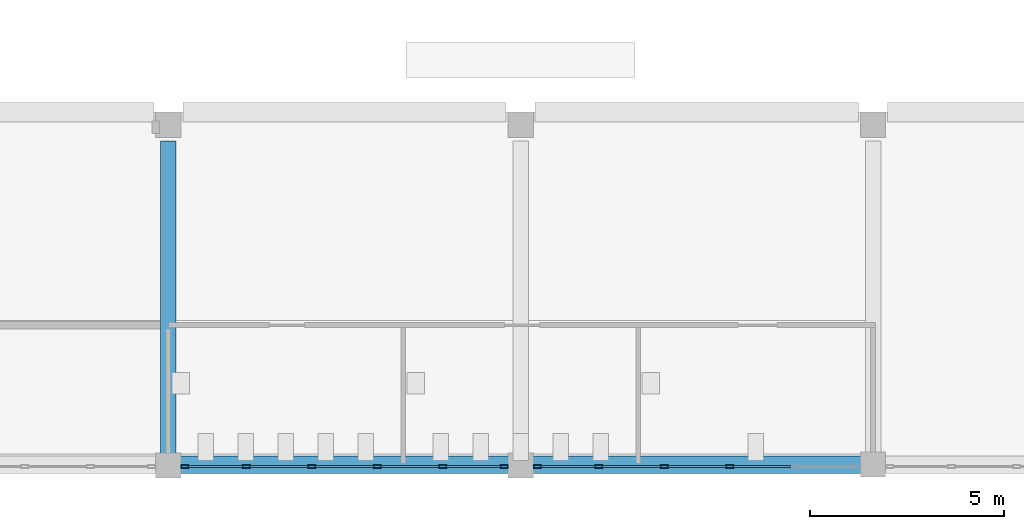
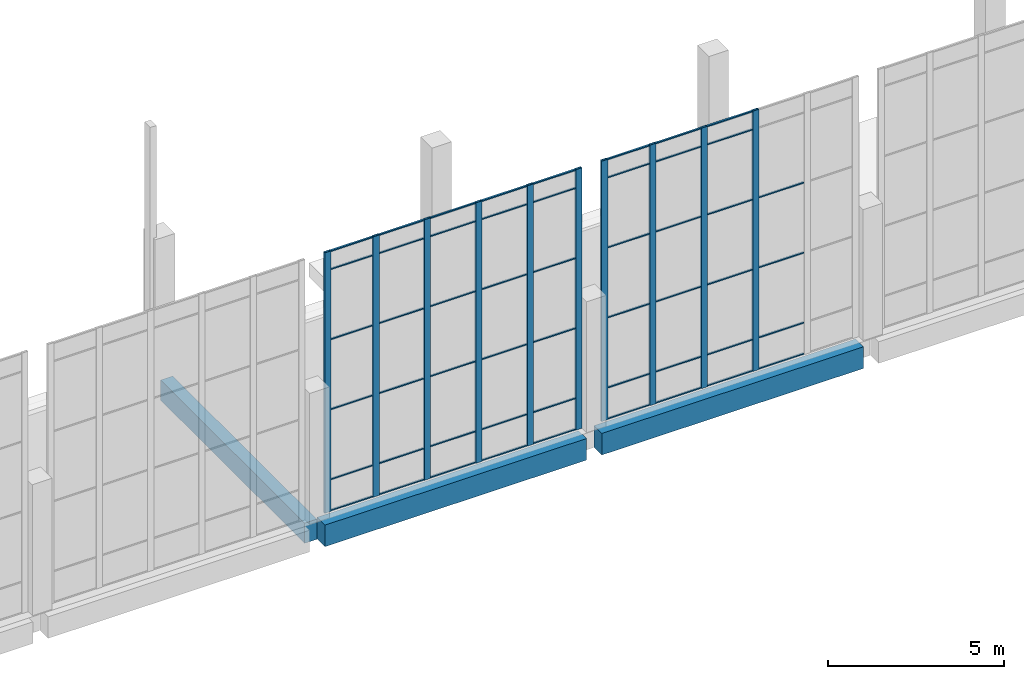
# One storey, part 11 of 91: 62 members, 3 beams, 2 elements without a shape of their own.
"""IFC4 building model written with IfcOpenShell, lengths in metres."""

import ifcopenshell
import ifcopenshell.guid

model = None  # the IFC model being written
_history = None  # IfcOwnerHistory: only IFC2X3 demands one
_inside = {}  # id of a spatial element -> (the spatial element, [elements in it])
_under = {}  # id of a project, library or spatial element -> (it, [spatial elements below it])
_declared = {}  # id of a project -> (the project, [libraries it declares])
_typed = {}  # id of a type object -> (the type object, [elements of that type])
_made_of = {}  # id of a material, layer set ... -> (it, [elements and type objects made of it])


def new_model(schema):
    """Start an empty IFC model of exactly this schema.

    Asked for "IFC4X3", IfcOpenShell would pick the latest addendum, in which some entities
    have other attributes; the version numbers below select the first issue.
    IFC2X3 requires an IfcOwnerHistory on every rooted entity: one is made here for all.
    """
    global model, _history
    if schema == "IFC4X3":
        model = ifcopenshell.file(schema_version=(4, 3, 0, 0))
    else:
        model = ifcopenshell.file(schema=schema)
    _inside.clear()
    _under.clear()
    _declared.clear()
    _typed.clear()
    _made_of.clear()
    _history = None
    if model.schema == "IFC2X3":
        org = make("IfcOrganization", Name="unknown")
        user = make(
            "IfcPersonAndOrganization",
            ThePerson=make("IfcPerson", FamilyName="unknown"),
            TheOrganization=org,
        )
        app = make(
            "IfcApplication",
            ApplicationDeveloper=org,
            Version="unknown",
            ApplicationFullName="unknown",
            ApplicationIdentifier="unknown",
        )
        _history = make(
            "IfcOwnerHistory",
            OwningUser=user,
            OwningApplication=app,
            ChangeAction="ADDED",
            CreationDate=0,
        )
    return model


def make(cls, **values):
    """One entity of the class cls with the attributes given. An attribute that is None is left unset."""
    return model.create_entity(
        cls, **{name: value for name, value in values.items() if value is not None}
    )


def rooted(cls, **values):
    """An entity with a GlobalId (a new one), such as an element, a storey or a relation."""
    return make(cls, GlobalId=ifcopenshell.guid.new(), OwnerHistory=_history, **values)


def si_unit(unit_type, name, prefix=None):
    """IfcSIUnit, for example si_unit("LENGTHUNIT", "METRE", prefix="MILLI")."""
    return make("IfcSIUnit", UnitType=unit_type, Prefix=prefix, Name=name)


def assignment(units):
    """IfcUnitAssignment: the units of a project."""
    return None if units is None else make("IfcUnitAssignment", Units=units)


def point(xyz):
    """IfcCartesianPoint."""
    return None if xyz is None else make("IfcCartesianPoint", Coordinates=xyz)


def direction(xyz):
    """IfcDirection."""
    return None if xyz is None else make("IfcDirection", DirectionRatios=xyz)


def frame(location, z_axis=None, x_axis=None):
    """IfcAxis2Placement3D, a coordinate frame: its origin and axes. An axis left out is left unset."""
    return make(
        "IfcAxis2Placement3D",
        Location=point(location),
        Axis=direction(z_axis),
        RefDirection=direction(x_axis),
    )


def frame_2d(location, x_axis=None):
    """IfcAxis2Placement2D, a coordinate frame in the plane: its origin and x axis."""
    return make(
        "IfcAxis2Placement2D", Location=point(location), RefDirection=direction(x_axis)
    )


def origin():
    """The frame at (0, 0, 0) with its axes left unset."""
    return frame((0.0, 0.0, 0.0))


def origin_2d():
    """The frame at (0, 0) in the plane with its x axis left unset."""
    return frame_2d((0.0, 0.0))


def place(relative_to, where):
    """IfcLocalPlacement: puts the frame where relative to a parent placement (None: the world)."""
    return make(
        "IfcLocalPlacement", PlacementRelTo=relative_to, RelativePlacement=where
    )


def context(
    kind, dimensions, precision=None, world=None, true_north=None, identifier=None
):
    """IfcGeometricRepresentationContext, for example the 3D "Model" context."""
    return make(
        "IfcGeometricRepresentationContext",
        ContextIdentifier=identifier,
        ContextType=kind,
        CoordinateSpaceDimension=dimensions,
        Precision=precision,
        WorldCoordinateSystem=world,
        TrueNorth=true_north,
    )


def subcontext(parent, identifier, kind, view, scale=None):
    """IfcGeometricRepresentationSubContext, for example "Body" below "Model"."""
    return make(
        "IfcGeometricRepresentationSubContext",
        ContextIdentifier=identifier,
        ContextType=kind,
        ParentContext=parent,
        TargetScale=scale,
        TargetView=view,
    )


def project(units=None, contexts=None):
    """IfcProject with its units and contexts."""
    return rooted(
        "IfcProject",
        Name="project",
        RepresentationContexts=contexts,
        UnitsInContext=assignment(units),
    )


def spatial(cls, under=None, at=None, **own):
    """A site, building, storey or space (cls), placed at a placement, below another one or the project."""
    s = rooted(cls, ObjectPlacement=at, **own)
    if under is not None:
        _under.setdefault(under.id(), (under, []))[1].append(s)
    return s


def profile(cls, at=None, kind="AREA", **sizes):
    """A parametric profile (cls). Its sizes go by their IFC names, for example OverallWidth=200.0."""
    return make(cls, ProfileType=kind, Position=at, **sizes)


def rectangle(**sizes):
    """IfcRectangleProfileDef."""
    return profile("IfcRectangleProfileDef", **sizes)


def hollow_rectangle(**sizes):
    """IfcRectangleHollowProfileDef."""
    return profile("IfcRectangleHollowProfileDef", **sizes)


def extrude(swept, where, along, depth):
    """IfcExtrudedAreaSolid: the profile swept, set in the frame where, extruded along a direction by depth."""
    return make(
        "IfcExtrudedAreaSolid",
        SweptArea=swept,
        Position=where,
        ExtrudedDirection=direction(along),
        Depth=depth,
    )


def shape(context_of_items, identifier, shape_type, items):
    """IfcShapeRepresentation: the items that make up one representation, for example the "Body"."""
    return make(
        "IfcShapeRepresentation",
        ContextOfItems=context_of_items,
        RepresentationIdentifier=identifier,
        RepresentationType=shape_type,
        Items=items,
    )


def material(Name=None, Category=None):
    """IfcMaterial."""
    return make("IfcMaterial", Name=Name, Category=Category)


def layer(
    of_material, thickness, ventilated=None, Name=None, Category=None, Priority=None
):
    """IfcMaterialLayer: one layer of a wall or slab, of a material (None: an air gap)."""
    return make(
        "IfcMaterialLayer",
        Material=of_material,
        LayerThickness=thickness,
        IsVentilated=ventilated,
        Name=Name,
        Category=Category,
        Priority=Priority,
    )


def layer_set(layers, Name=None):
    """IfcMaterialLayerSet."""
    return make("IfcMaterialLayerSet", MaterialLayers=layers, LayerSetName=Name)


def material_profile(
    of_material, cross_section, Name=None, Category=None, Priority=None
):
    """IfcMaterialProfile: a cross section and its material."""
    return make(
        "IfcMaterialProfile",
        Name=Name,
        Material=of_material,
        Profile=cross_section,
        Priority=Priority,
        Category=Category,
    )


def profile_set(profiles, Name=None, composite=None):
    """IfcMaterialProfileSet."""
    return make(
        "IfcMaterialProfileSet",
        Name=Name,
        MaterialProfiles=profiles,
        CompositeProfile=composite,
    )


def made_of(thing, what):
    """Note that an element or type object is made of a material, layer set ...; save() writes the relation."""
    if what is not None:
        _made_of.setdefault(what.id(), (what, []))[1].append(thing)
    return thing


def type_object(cls, material=None, **own):
    """A type object (cls), such as IfcWallType, which elements share."""
    return made_of(rooted(cls, **own), material)


def element(
    cls,
    number,
    at=None,
    inside=None,
    cuts=None,
    type_object=None,
    material=None,
    context=None,
    identifier="Body",
    shape_type=None,
    held_by="IfcProductDefinitionShape",
    body=None,
    shapes=None,
    **own,
):
    """One element of the class cls, such as IfcWall. Its Tag is "e" and its number.

    at: its placement. inside: the storey or other place that contains it. cuts: it is an
    opening in that element (IfcRelVoidsElement). A single representation is given by context,
    identifier, shape_type and body (its items); several are given by shapes. held_by: the class
    of the entity that holds the representations. save() writes the other relations.
    """
    e = rooted(cls, Tag="e%d" % number, ObjectPlacement=at, **own)
    if body is not None:
        shapes = [shape(context, identifier, shape_type, body)]
    if shapes is not None:
        e.Representation = make(held_by, Representations=shapes)
    if inside is not None:
        _inside.setdefault(inside.id(), (inside, []))[1].append(e)
    if cuts is not None:
        rooted(
            "IfcRelVoidsElement", RelatingBuildingElement=cuts, RelatedOpeningElement=e
        )
    if type_object is not None:
        _typed.setdefault(type_object.id(), (type_object, []))[1].append(e)
    return made_of(e, material)


def aggregate(whole, parts):
    """IfcRelAggregates: a whole, such as a stair, and the parts it consists of."""
    return rooted("IfcRelAggregates", RelatingObject=whole, RelatedObjects=parts)


def save(model, path):
    """Write the relations noted so far, then the file.

    IfcRelAggregates (storeys below a building ...), IfcRelContainedInSpatialStructure (elements
    in a storey), IfcRelDefinesByType, IfcRelAssociatesMaterial and IfcRelDeclares: one each for
    every whole, place, type object, material and project.
    """
    for whole, parts in _under.values():
        aggregate(whole, parts)
    for where, things in _inside.values():
        rooted(
            "IfcRelContainedInSpatialStructure",
            RelatedElements=things,
            RelatingStructure=where,
        )
    for kind, things in _typed.values():
        rooted("IfcRelDefinesByType", RelatedObjects=things, RelatingType=kind)
    for what, things in _made_of.values():
        rooted("IfcRelAssociatesMaterial", RelatedObjects=things, RelatingMaterial=what)
    for by, libraries in _declared.values():
        rooted("IfcRelDeclares", RelatingContext=by, RelatedDefinitions=libraries)
    model.write(path)


model = new_model("IFC4")

# Units and contexts
model_context = context("Model", 3, precision=1e-05, world=origin(), true_north=direction((0.0, 1.0)))
body_context = subcontext(model_context, "Body", "Model", "MODEL_VIEW")
ifc_project = project(units=[si_unit("LENGTHUNIT", "METRE"), si_unit("AREAUNIT", "SQUARE_METRE"), si_unit("VOLUMEUNIT", "CUBIC_METRE"), si_unit("PLANEANGLEUNIT", "RADIAN"), si_unit("MASSUNIT", "GRAM", prefix="KILO")], contexts=[model_context])

# Site, building, storey
site_placement = place(None, origin())
site = spatial("IfcSite", under=ifc_project, at=site_placement, CompositionType="ELEMENT")
building_placement = place(site_placement, origin())
building = spatial("IfcBuilding", under=site, at=building_placement, Name="Shirokan Park Arena", CompositionType="ELEMENT")
storey_placement = place(building_placement, frame((0.0, 0.0, 24.570068359375)))
storey = spatial("IfcBuildingStorey", under=building, at=storey_placement, Name="L05", CompositionType="ELEMENT", Elevation=24.570068359375)

# Curtain wall, members
ifc_material_1 = material(Name="Steel and glass curtain wall", Category="steel")
ifc_layer = layer(ifc_material_1, 0.199951171875)
ifc_layer_set = layer_set([ifc_layer], Name="Steel and glass curtain wall 200 mm")
curtain_wall_type = type_object("IfcCurtainWallType", Name="Curtain wall hall bay 200", PredefinedType="NOTDEFINED", material=ifc_layer_set)
curtain_wall_1_placement = place(storey_placement, origin())
curtain_wall_1 = element("IfcCurtainWall", 1, at=curtain_wall_1_placement, inside=storey, type_object=curtain_wall_type, Name="Curtain wall south bay 8 L05", PredefinedType="NOTDEFINED")
ifc_material_2 = material(Name="Steel S355", Category="steel")
ifc_material_profile_1 = material_profile(ifc_material_2, hollow_rectangle(XDim=0.080078125, YDim=0.199951171875, WallThickness=0.008056640625, at=origin_2d()), Name="RHS 200x80x8")
ifc_profile_set_1 = profile_set([ifc_material_profile_1], Name="Steel S355")
member_type_1 = type_object("IfcMemberType", Name="Mullion RHS 200x80x8", PredefinedType="MULLION", material=ifc_profile_set_1)
member_1_placement = place(storey_placement, frame((64.125, -0.050048828125, 0.0), z_axis=(0.0, 0.0, 1.0), x_axis=(0.0, 1.0, 0.0)))
member_1 = element("IfcMember", 2, at=member_1_placement, type_object=member_type_1, Name="CW5 mullion 1", PredefinedType="MULLION", context=body_context, shape_type="SweptSolid", body=[
    extrude(hollow_rectangle(XDim=0.080078125, YDim=0.199951171875, WallThickness=0.008056640625, at=origin_2d()), origin(), (0.0, 0.0, 1.0), 9.050048828125),
])
member_2_placement = place(storey_placement, frame((65.715087890625, -0.050048828125, 0.0), z_axis=(0.0, 0.0, 1.0), x_axis=(0.0, 1.0, 0.0)))
member_2 = element("IfcMember", 3, at=member_2_placement, type_object=member_type_1, Name="CW5 mullion 2", PredefinedType="MULLION", context=body_context, shape_type="SweptSolid", body=[
    extrude(hollow_rectangle(XDim=0.080078125, YDim=0.199951171875, WallThickness=0.008056640625, at=origin_2d()), origin(), (0.0, 0.0, 1.0), 9.050048828125),
])
member_3_placement = place(storey_placement, frame((67.405029296875, -0.050048828125, 0.0), z_axis=(0.0, 0.0, 1.0), x_axis=(0.0, 1.0, 0.0)))
member_3 = element("IfcMember", 4, at=member_3_placement, type_object=member_type_1, Name="CW5 mullion 3", PredefinedType="MULLION", context=body_context, shape_type="SweptSolid", body=[
    extrude(hollow_rectangle(XDim=0.080078125, YDim=0.199951171875, WallThickness=0.008056640625, at=origin_2d()), origin(), (0.0, 0.0, 1.0), 9.050048828125),
])
member_4_placement = place(storey_placement, frame((69.094970703125, -0.050048828125, 0.0), z_axis=(0.0, 0.0, 1.0), x_axis=(0.0, 1.0, 0.0)))
member_4 = element("IfcMember", 5, at=member_4_placement, type_object=member_type_1, Name="CW5 mullion 4", PredefinedType="MULLION", context=body_context, shape_type="SweptSolid", body=[
    extrude(hollow_rectangle(XDim=0.080078125, YDim=0.199951171875, WallThickness=0.008056640625, at=origin_2d()), origin(), (0.0, 0.0, 1.0), 9.050048828125),
])
member_5_placement = place(storey_placement, frame((70.784912109375, -0.050048828125, 0.0), z_axis=(0.0, 0.0, 1.0), x_axis=(0.0, 1.0, 0.0)))
member_5 = element("IfcMember", 6, at=member_5_placement, type_object=member_type_1, Name="CW5 mullion 5", PredefinedType="MULLION", context=body_context, shape_type="SweptSolid", body=[
    extrude(hollow_rectangle(XDim=0.080078125, YDim=0.199951171875, WallThickness=0.008056640625, at=origin_2d()), origin(), (0.0, 0.0, 1.0), 9.050048828125),
])
member_6_placement = place(storey_placement, frame((72.375, -0.050048828125, 0.0), z_axis=(0.0, 0.0, 1.0), x_axis=(0.0, 1.0, 0.0)))
member_6 = element("IfcMember", 7, at=member_6_placement, type_object=member_type_1, Name="CW5 mullion 6", PredefinedType="MULLION", context=body_context, shape_type="SweptSolid", body=[
    extrude(hollow_rectangle(XDim=0.080078125, YDim=0.199951171875, WallThickness=0.008056640625, at=origin_2d()), origin(), (0.0, 0.0, 1.0), 9.050048828125),
])

curtain_wall_2_placement = place(storey_placement, origin())
curtain_wall_2 = element("IfcCurtainWall", 8, at=curtain_wall_2_placement, inside=storey, type_object=curtain_wall_type, Name="Curtain wall south bay 9 L05", PredefinedType="NOTDEFINED")
member_7_placement = place(storey_placement, frame((73.22509765625, -0.050048828125, 0.0), z_axis=(0.0, 0.0, 1.0), x_axis=(0.0, 1.0, 0.0)))
member_7 = element("IfcMember", 9, at=member_7_placement, type_object=member_type_1, Name="CW5 mullion 1", PredefinedType="MULLION", context=body_context, shape_type="SweptSolid", body=[
    extrude(hollow_rectangle(XDim=0.080078125, YDim=0.199951171875, WallThickness=0.008056640625, at=origin_2d()), origin(), (0.0, 0.0, 1.0), 9.050048828125),
])
member_8_placement = place(storey_placement, frame((74.81494140625, -0.050048828125, 0.0), z_axis=(0.0, 0.0, 1.0), x_axis=(0.0, 1.0, 0.0)))
member_8 = element("IfcMember", 10, at=member_8_placement, type_object=member_type_1, Name="CW5 mullion 2", PredefinedType="MULLION", context=body_context, shape_type="SweptSolid", body=[
    extrude(hollow_rectangle(XDim=0.080078125, YDim=0.199951171875, WallThickness=0.008056640625, at=origin_2d()), origin(), (0.0, 0.0, 1.0), 9.050048828125),
])
member_9_placement = place(storey_placement, frame((76.5048828125, -0.050048828125, 0.0), z_axis=(0.0, 0.0, 1.0), x_axis=(0.0, 1.0, 0.0)))
member_9 = element("IfcMember", 11, at=member_9_placement, type_object=member_type_1, Name="CW5 mullion 3", PredefinedType="MULLION", context=body_context, shape_type="SweptSolid", body=[
    extrude(hollow_rectangle(XDim=0.080078125, YDim=0.199951171875, WallThickness=0.008056640625, at=origin_2d()), origin(), (0.0, 0.0, 1.0), 9.050048828125),
])
member_10_placement = place(storey_placement, frame((78.195068359375, -0.050048828125, 0.0), z_axis=(0.0, 0.0, 1.0), x_axis=(0.0, 1.0, 0.0)))
member_10 = element("IfcMember", 12, at=member_10_placement, type_object=member_type_1, Name="CW5 mullion 4", PredefinedType="MULLION", context=body_context, shape_type="SweptSolid", body=[
    extrude(hollow_rectangle(XDim=0.080078125, YDim=0.199951171875, WallThickness=0.008056640625, at=origin_2d()), origin(), (0.0, 0.0, 1.0), 9.050048828125),
])

# Beams
ifc_material_3 = material(Name="Concrete C35", Category="concrete")
ifc_material_profile_2 = material_profile(ifc_material_3, rectangle(XDim=0.39990234375, YDim=0.699951171875, at=origin_2d()), Name="400x700")
ifc_profile_set_2 = profile_set([ifc_material_profile_2], Name="Concrete C35")
beam_type_1 = type_object("IfcBeamType", Name="RC girder 400x700", PredefinedType="BEAM", material=ifc_profile_set_2)
beam_1_placement = place(storey_placement, frame((63.699951171875, 0.150146484375, -0.650146484375), z_axis=(0.0, 1.0, 0.0), x_axis=(-1.0, 0.0, 0.0)))
element("IfcBeam", 13, at=beam_1_placement, inside=storey, type_object=beam_type_1, Name="Girder 8A-8B L05", PredefinedType="BEAM", context=body_context, shape_type="SweptSolid", body=[
    extrude(rectangle(XDim=0.39990234375, YDim=0.699951171875, at=origin_2d()), origin(), (0.0, 0.0, 1.0), 8.19970703125),
])
ifc_material_profile_3 = material_profile(ifc_material_3, rectangle(XDim=0.449951171875, YDim=0.75, at=origin_2d()), Name="450x750")
ifc_profile_set_3 = profile_set([ifc_material_profile_3], Name="Concrete C35")
beam_type_2 = type_object("IfcBeamType", Name="RC girder 450x750", PredefinedType="BEAM", material=ifc_profile_set_3)
beam_2_placement = place(storey_placement, frame((63.9501953125, 0.0, -0.675048828125), z_axis=(1.0, 0.0, 0.0), x_axis=(0.0, 1.0, 0.0)))
element("IfcBeam", 14, at=beam_2_placement, inside=storey, type_object=beam_type_2, Name="Girder 8A-9A L05", PredefinedType="BEAM", context=body_context, shape_type="SweptSolid", body=[
    extrude(rectangle(XDim=0.449951171875, YDim=0.75, at=origin_2d()), origin(), (0.0, 0.0, 1.0), 8.599609375),
])
beam_3_placement = place(storey_placement, frame((73.050048828125, 0.0, -0.675048828125), z_axis=(1.0, 0.0, 0.0), x_axis=(0.0, 1.0, 0.0)))
element("IfcBeam", 15, at=beam_3_placement, inside=storey, type_object=beam_type_2, Name="Girder 9A-10A L05", PredefinedType="BEAM", context=body_context, shape_type="SweptSolid", body=[
    extrude(rectangle(XDim=0.449951171875, YDim=0.75, at=origin_2d()), origin(), (0.0, 0.0, 1.0), 8.599853515625),
])

# Member
ifc_material_profile_4 = material_profile(ifc_material_2, hollow_rectangle(XDim=0.06005859375, YDim=0.0400390625, WallThickness=0.00390625, at=origin_2d()), Name="RHS 60x40x4")
ifc_profile_set_4 = profile_set([ifc_material_profile_4], Name="Steel S355")
member_type_2 = type_object("IfcMemberType", Name="Transom RHS 60x40x4", PredefinedType="MULLION", material=ifc_profile_set_4)
member_11_placement = place(storey_placement, frame((64.22509765625, -0.050048828125, 0.02001953125), z_axis=(1.0, 0.0, 0.0), x_axis=(0.0, 1.0, 0.0)))
member_11 = element("IfcMember", 16, at=member_11_placement, type_object=member_type_2, Name="CW5 transom 1.1", PredefinedType="MULLION", context=body_context, shape_type="SweptSolid", body=[
    extrude(hollow_rectangle(XDim=0.06005859375, YDim=0.0400390625, WallThickness=0.00390625, at=origin_2d()), origin(), (0.0, 0.0, 1.0), 1.389892578125),
])

member_12_placement = place(storey_placement, frame((64.22509765625, -0.050048828125, 1.099853515625), z_axis=(1.0, 0.0, 0.0), x_axis=(0.0, 1.0, 0.0)))
member_12 = element("IfcMember", 17, at=member_12_placement, type_object=member_type_2, Name="CW5 transom 1.2", PredefinedType="MULLION", context=body_context, shape_type="SweptSolid", body=[
    extrude(hollow_rectangle(XDim=0.06005859375, YDim=0.0400390625, WallThickness=0.00390625, at=origin_2d()), origin(), (0.0, 0.0, 1.0), 1.389892578125),
])

member_13_placement = place(storey_placement, frame((64.22509765625, -0.050048828125, 3.533203125), z_axis=(1.0, 0.0, 0.0), x_axis=(0.0, 1.0, 0.0)))
member_13 = element("IfcMember", 18, at=member_13_placement, type_object=member_type_2, Name="CW5 transom 1.3", PredefinedType="MULLION", context=body_context, shape_type="SweptSolid", body=[
    extrude(hollow_rectangle(XDim=0.06005859375, YDim=0.0400390625, WallThickness=0.00390625, at=origin_2d()), origin(), (0.0, 0.0, 1.0), 1.389892578125),
])

member_14_placement = place(storey_placement, frame((64.22509765625, -0.050048828125, 5.966552734375), z_axis=(1.0, 0.0, 0.0), x_axis=(0.0, 1.0, 0.0)))
member_14 = element("IfcMember", 19, at=member_14_placement, type_object=member_type_2, Name="CW5 transom 1.4", PredefinedType="MULLION", context=body_context, shape_type="SweptSolid", body=[
    extrude(hollow_rectangle(XDim=0.06005859375, YDim=0.0400390625, WallThickness=0.00390625, at=origin_2d()), origin(), (0.0, 0.0, 1.0), 1.389892578125),
])

member_15_placement = place(storey_placement, frame((64.22509765625, -0.050048828125, 8.39990234375), z_axis=(1.0, 0.0, 0.0), x_axis=(0.0, 1.0, 0.0)))
member_15 = element("IfcMember", 20, at=member_15_placement, type_object=member_type_2, Name="CW5 transom 1.5", PredefinedType="MULLION", context=body_context, shape_type="SweptSolid", body=[
    extrude(hollow_rectangle(XDim=0.06005859375, YDim=0.0400390625, WallThickness=0.00390625, at=origin_2d()), origin(), (0.0, 0.0, 1.0), 1.389892578125),
])

member_16_placement = place(storey_placement, frame((64.22509765625, -0.050048828125, 9.030029296875), z_axis=(1.0, 0.0, 0.0), x_axis=(0.0, 1.0, 0.0)))
member_16 = element("IfcMember", 21, at=member_16_placement, type_object=member_type_2, Name="CW5 transom 1.6", PredefinedType="MULLION", context=body_context, shape_type="SweptSolid", body=[
    extrude(hollow_rectangle(XDim=0.06005859375, YDim=0.0400390625, WallThickness=0.00390625, at=origin_2d()), origin(), (0.0, 0.0, 1.0), 1.389892578125),
])

member_17_placement = place(storey_placement, frame((65.81494140625, -0.050048828125, 0.02001953125), z_axis=(1.0, 0.0, 0.0), x_axis=(0.0, 1.0, 0.0)))
member_17 = element("IfcMember", 22, at=member_17_placement, type_object=member_type_2, Name="CW5 transom 2.1", PredefinedType="MULLION", context=body_context, shape_type="SweptSolid", body=[
    extrude(hollow_rectangle(XDim=0.06005859375, YDim=0.0400390625, WallThickness=0.00390625, at=origin_2d()), origin(), (0.0, 0.0, 1.0), 1.489990234375),
])

member_18_placement = place(storey_placement, frame((65.81494140625, -0.050048828125, 1.099853515625), z_axis=(1.0, 0.0, 0.0), x_axis=(0.0, 1.0, 0.0)))
member_18 = element("IfcMember", 23, at=member_18_placement, type_object=member_type_2, Name="CW5 transom 2.2", PredefinedType="MULLION", context=body_context, shape_type="SweptSolid", body=[
    extrude(hollow_rectangle(XDim=0.06005859375, YDim=0.0400390625, WallThickness=0.00390625, at=origin_2d()), origin(), (0.0, 0.0, 1.0), 1.489990234375),
])

member_19_placement = place(storey_placement, frame((65.81494140625, -0.050048828125, 3.533203125), z_axis=(1.0, 0.0, 0.0), x_axis=(0.0, 1.0, 0.0)))
member_19 = element("IfcMember", 24, at=member_19_placement, type_object=member_type_2, Name="CW5 transom 2.3", PredefinedType="MULLION", context=body_context, shape_type="SweptSolid", body=[
    extrude(hollow_rectangle(XDim=0.06005859375, YDim=0.0400390625, WallThickness=0.00390625, at=origin_2d()), origin(), (0.0, 0.0, 1.0), 1.489990234375),
])

member_20_placement = place(storey_placement, frame((65.81494140625, -0.050048828125, 5.966552734375), z_axis=(1.0, 0.0, 0.0), x_axis=(0.0, 1.0, 0.0)))
member_20 = element("IfcMember", 25, at=member_20_placement, type_object=member_type_2, Name="CW5 transom 2.4", PredefinedType="MULLION", context=body_context, shape_type="SweptSolid", body=[
    extrude(hollow_rectangle(XDim=0.06005859375, YDim=0.0400390625, WallThickness=0.00390625, at=origin_2d()), origin(), (0.0, 0.0, 1.0), 1.489990234375),
])

member_21_placement = place(storey_placement, frame((65.81494140625, -0.050048828125, 8.39990234375), z_axis=(1.0, 0.0, 0.0), x_axis=(0.0, 1.0, 0.0)))
member_21 = element("IfcMember", 26, at=member_21_placement, type_object=member_type_2, Name="CW5 transom 2.5", PredefinedType="MULLION", context=body_context, shape_type="SweptSolid", body=[
    extrude(hollow_rectangle(XDim=0.06005859375, YDim=0.0400390625, WallThickness=0.00390625, at=origin_2d()), origin(), (0.0, 0.0, 1.0), 1.489990234375),
])

member_22_placement = place(storey_placement, frame((65.81494140625, -0.050048828125, 9.030029296875), z_axis=(1.0, 0.0, 0.0), x_axis=(0.0, 1.0, 0.0)))
member_22 = element("IfcMember", 27, at=member_22_placement, type_object=member_type_2, Name="CW5 transom 2.6", PredefinedType="MULLION", context=body_context, shape_type="SweptSolid", body=[
    extrude(hollow_rectangle(XDim=0.06005859375, YDim=0.0400390625, WallThickness=0.00390625, at=origin_2d()), origin(), (0.0, 0.0, 1.0), 1.489990234375),
])

member_23_placement = place(storey_placement, frame((67.5048828125, -0.050048828125, 0.02001953125), z_axis=(1.0, 0.0, 0.0), x_axis=(0.0, 1.0, 0.0)))
member_23 = element("IfcMember", 28, at=member_23_placement, type_object=member_type_2, Name="CW5 transom 3.1", PredefinedType="MULLION", context=body_context, shape_type="SweptSolid", body=[
    extrude(hollow_rectangle(XDim=0.06005859375, YDim=0.0400390625, WallThickness=0.00390625, at=origin_2d()), origin(), (0.0, 0.0, 1.0), 1.490234375),
])

member_24_placement = place(storey_placement, frame((67.5048828125, -0.050048828125, 1.099853515625), z_axis=(1.0, 0.0, 0.0), x_axis=(0.0, 1.0, 0.0)))
member_24 = element("IfcMember", 29, at=member_24_placement, type_object=member_type_2, Name="CW5 transom 3.2", PredefinedType="MULLION", context=body_context, shape_type="SweptSolid", body=[
    extrude(hollow_rectangle(XDim=0.06005859375, YDim=0.0400390625, WallThickness=0.00390625, at=origin_2d()), origin(), (0.0, 0.0, 1.0), 1.490234375),
])

member_25_placement = place(storey_placement, frame((67.5048828125, -0.050048828125, 3.533203125), z_axis=(1.0, 0.0, 0.0), x_axis=(0.0, 1.0, 0.0)))
member_25 = element("IfcMember", 30, at=member_25_placement, type_object=member_type_2, Name="CW5 transom 3.3", PredefinedType="MULLION", context=body_context, shape_type="SweptSolid", body=[
    extrude(hollow_rectangle(XDim=0.06005859375, YDim=0.0400390625, WallThickness=0.00390625, at=origin_2d()), origin(), (0.0, 0.0, 1.0), 1.490234375),
])

member_26_placement = place(storey_placement, frame((67.5048828125, -0.050048828125, 5.966552734375), z_axis=(1.0, 0.0, 0.0), x_axis=(0.0, 1.0, 0.0)))
member_26 = element("IfcMember", 31, at=member_26_placement, type_object=member_type_2, Name="CW5 transom 3.4", PredefinedType="MULLION", context=body_context, shape_type="SweptSolid", body=[
    extrude(hollow_rectangle(XDim=0.06005859375, YDim=0.0400390625, WallThickness=0.00390625, at=origin_2d()), origin(), (0.0, 0.0, 1.0), 1.490234375),
])

member_27_placement = place(storey_placement, frame((67.5048828125, -0.050048828125, 8.39990234375), z_axis=(1.0, 0.0, 0.0), x_axis=(0.0, 1.0, 0.0)))
member_27 = element("IfcMember", 32, at=member_27_placement, type_object=member_type_2, Name="CW5 transom 3.5", PredefinedType="MULLION", context=body_context, shape_type="SweptSolid", body=[
    extrude(hollow_rectangle(XDim=0.06005859375, YDim=0.0400390625, WallThickness=0.00390625, at=origin_2d()), origin(), (0.0, 0.0, 1.0), 1.490234375),
])

member_28_placement = place(storey_placement, frame((67.5048828125, -0.050048828125, 9.030029296875), z_axis=(1.0, 0.0, 0.0), x_axis=(0.0, 1.0, 0.0)))
member_28 = element("IfcMember", 33, at=member_28_placement, type_object=member_type_2, Name="CW5 transom 3.6", PredefinedType="MULLION", context=body_context, shape_type="SweptSolid", body=[
    extrude(hollow_rectangle(XDim=0.06005859375, YDim=0.0400390625, WallThickness=0.00390625, at=origin_2d()), origin(), (0.0, 0.0, 1.0), 1.490234375),
])

member_29_placement = place(storey_placement, frame((69.195068359375, -0.050048828125, 0.02001953125), z_axis=(1.0, 0.0, 0.0), x_axis=(0.0, 1.0, 0.0)))
member_29 = element("IfcMember", 34, at=member_29_placement, type_object=member_type_2, Name="CW5 transom 4.1", PredefinedType="MULLION", context=body_context, shape_type="SweptSolid", body=[
    extrude(hollow_rectangle(XDim=0.06005859375, YDim=0.0400390625, WallThickness=0.00390625, at=origin_2d()), origin(), (0.0, 0.0, 1.0), 1.489990234375),
])

member_30_placement = place(storey_placement, frame((69.195068359375, -0.050048828125, 1.099853515625), z_axis=(1.0, 0.0, 0.0), x_axis=(0.0, 1.0, 0.0)))
member_30 = element("IfcMember", 35, at=member_30_placement, type_object=member_type_2, Name="CW5 transom 4.2", PredefinedType="MULLION", context=body_context, shape_type="SweptSolid", body=[
    extrude(hollow_rectangle(XDim=0.06005859375, YDim=0.0400390625, WallThickness=0.00390625, at=origin_2d()), origin(), (0.0, 0.0, 1.0), 1.489990234375),
])

member_31_placement = place(storey_placement, frame((69.195068359375, -0.050048828125, 3.533203125), z_axis=(1.0, 0.0, 0.0), x_axis=(0.0, 1.0, 0.0)))
member_31 = element("IfcMember", 36, at=member_31_placement, type_object=member_type_2, Name="CW5 transom 4.3", PredefinedType="MULLION", context=body_context, shape_type="SweptSolid", body=[
    extrude(hollow_rectangle(XDim=0.06005859375, YDim=0.0400390625, WallThickness=0.00390625, at=origin_2d()), origin(), (0.0, 0.0, 1.0), 1.489990234375),
])

member_32_placement = place(storey_placement, frame((69.195068359375, -0.050048828125, 5.966552734375), z_axis=(1.0, 0.0, 0.0), x_axis=(0.0, 1.0, 0.0)))
member_32 = element("IfcMember", 37, at=member_32_placement, type_object=member_type_2, Name="CW5 transom 4.4", PredefinedType="MULLION", context=body_context, shape_type="SweptSolid", body=[
    extrude(hollow_rectangle(XDim=0.06005859375, YDim=0.0400390625, WallThickness=0.00390625, at=origin_2d()), origin(), (0.0, 0.0, 1.0), 1.489990234375),
])

member_33_placement = place(storey_placement, frame((69.195068359375, -0.050048828125, 8.39990234375), z_axis=(1.0, 0.0, 0.0), x_axis=(0.0, 1.0, 0.0)))
member_33 = element("IfcMember", 38, at=member_33_placement, type_object=member_type_2, Name="CW5 transom 4.5", PredefinedType="MULLION", context=body_context, shape_type="SweptSolid", body=[
    extrude(hollow_rectangle(XDim=0.06005859375, YDim=0.0400390625, WallThickness=0.00390625, at=origin_2d()), origin(), (0.0, 0.0, 1.0), 1.489990234375),
])

member_34_placement = place(storey_placement, frame((69.195068359375, -0.050048828125, 9.030029296875), z_axis=(1.0, 0.0, 0.0), x_axis=(0.0, 1.0, 0.0)))
member_34 = element("IfcMember", 39, at=member_34_placement, type_object=member_type_2, Name="CW5 transom 4.6", PredefinedType="MULLION", context=body_context, shape_type="SweptSolid", body=[
    extrude(hollow_rectangle(XDim=0.06005859375, YDim=0.0400390625, WallThickness=0.00390625, at=origin_2d()), origin(), (0.0, 0.0, 1.0), 1.489990234375),
])

member_35_placement = place(storey_placement, frame((70.885009765625, -0.050048828125, 0.02001953125), z_axis=(1.0, 0.0, 0.0), x_axis=(0.0, 1.0, 0.0)))
member_35 = element("IfcMember", 40, at=member_35_placement, type_object=member_type_2, Name="CW5 transom 5.1", PredefinedType="MULLION", context=body_context, shape_type="SweptSolid", body=[
    extrude(hollow_rectangle(XDim=0.06005859375, YDim=0.0400390625, WallThickness=0.00390625, at=origin_2d()), origin(), (0.0, 0.0, 1.0), 1.389892578125),
])

member_36_placement = place(storey_placement, frame((70.885009765625, -0.050048828125, 1.099853515625), z_axis=(1.0, 0.0, 0.0), x_axis=(0.0, 1.0, 0.0)))
member_36 = element("IfcMember", 41, at=member_36_placement, type_object=member_type_2, Name="CW5 transom 5.2", PredefinedType="MULLION", context=body_context, shape_type="SweptSolid", body=[
    extrude(hollow_rectangle(XDim=0.06005859375, YDim=0.0400390625, WallThickness=0.00390625, at=origin_2d()), origin(), (0.0, 0.0, 1.0), 1.389892578125),
])

member_37_placement = place(storey_placement, frame((70.885009765625, -0.050048828125, 3.533203125), z_axis=(1.0, 0.0, 0.0), x_axis=(0.0, 1.0, 0.0)))
member_37 = element("IfcMember", 42, at=member_37_placement, type_object=member_type_2, Name="CW5 transom 5.3", PredefinedType="MULLION", context=body_context, shape_type="SweptSolid", body=[
    extrude(hollow_rectangle(XDim=0.06005859375, YDim=0.0400390625, WallThickness=0.00390625, at=origin_2d()), origin(), (0.0, 0.0, 1.0), 1.389892578125),
])

member_38_placement = place(storey_placement, frame((70.885009765625, -0.050048828125, 5.966552734375), z_axis=(1.0, 0.0, 0.0), x_axis=(0.0, 1.0, 0.0)))
member_38 = element("IfcMember", 43, at=member_38_placement, type_object=member_type_2, Name="CW5 transom 5.4", PredefinedType="MULLION", context=body_context, shape_type="SweptSolid", body=[
    extrude(hollow_rectangle(XDim=0.06005859375, YDim=0.0400390625, WallThickness=0.00390625, at=origin_2d()), origin(), (0.0, 0.0, 1.0), 1.389892578125),
])

member_39_placement = place(storey_placement, frame((70.885009765625, -0.050048828125, 8.39990234375), z_axis=(1.0, 0.0, 0.0), x_axis=(0.0, 1.0, 0.0)))
member_39 = element("IfcMember", 44, at=member_39_placement, type_object=member_type_2, Name="CW5 transom 5.5", PredefinedType="MULLION", context=body_context, shape_type="SweptSolid", body=[
    extrude(hollow_rectangle(XDim=0.06005859375, YDim=0.0400390625, WallThickness=0.00390625, at=origin_2d()), origin(), (0.0, 0.0, 1.0), 1.389892578125),
])

member_40_placement = place(storey_placement, frame((70.885009765625, -0.050048828125, 9.030029296875), z_axis=(1.0, 0.0, 0.0), x_axis=(0.0, 1.0, 0.0)))
member_40 = element("IfcMember", 45, at=member_40_placement, type_object=member_type_2, Name="CW5 transom 5.6", PredefinedType="MULLION", context=body_context, shape_type="SweptSolid", body=[
    extrude(hollow_rectangle(XDim=0.06005859375, YDim=0.0400390625, WallThickness=0.00390625, at=origin_2d()), origin(), (0.0, 0.0, 1.0), 1.389892578125),
])

aggregate(curtain_wall_1, [member_1, member_2, member_3, member_4, member_5, member_6, member_11, member_12, member_13, member_14, member_15, member_16, member_17, member_18, member_19, member_20, member_21, member_22, member_23, member_24, member_25, member_26, member_27, member_28, member_29, member_30, member_31, member_32, member_33, member_34, member_35, member_36, member_37, member_38, member_39, member_40])

member_41_placement = place(storey_placement, frame((73.324951171875, -0.050048828125, 0.02001953125), z_axis=(1.0, 0.0, 0.0), x_axis=(0.0, 1.0, 0.0)))
member_41 = element("IfcMember", 46, at=member_41_placement, type_object=member_type_2, Name="CW5 transom 1.1", PredefinedType="MULLION", context=body_context, shape_type="SweptSolid", body=[
    extrude(hollow_rectangle(XDim=0.06005859375, YDim=0.0400390625, WallThickness=0.00390625, at=origin_2d()), origin(), (0.0, 0.0, 1.0), 1.39013671875),
])

member_42_placement = place(storey_placement, frame((73.324951171875, -0.050048828125, 1.099853515625), z_axis=(1.0, 0.0, 0.0), x_axis=(0.0, 1.0, 0.0)))
member_42 = element("IfcMember", 47, at=member_42_placement, type_object=member_type_2, Name="CW5 transom 1.2", PredefinedType="MULLION", context=body_context, shape_type="SweptSolid", body=[
    extrude(hollow_rectangle(XDim=0.06005859375, YDim=0.0400390625, WallThickness=0.00390625, at=origin_2d()), origin(), (0.0, 0.0, 1.0), 1.39013671875),
])

member_43_placement = place(storey_placement, frame((73.324951171875, -0.050048828125, 3.533203125), z_axis=(1.0, 0.0, 0.0), x_axis=(0.0, 1.0, 0.0)))
member_43 = element("IfcMember", 48, at=member_43_placement, type_object=member_type_2, Name="CW5 transom 1.3", PredefinedType="MULLION", context=body_context, shape_type="SweptSolid", body=[
    extrude(hollow_rectangle(XDim=0.06005859375, YDim=0.0400390625, WallThickness=0.00390625, at=origin_2d()), origin(), (0.0, 0.0, 1.0), 1.39013671875),
])

member_44_placement = place(storey_placement, frame((73.324951171875, -0.050048828125, 5.966552734375), z_axis=(1.0, 0.0, 0.0), x_axis=(0.0, 1.0, 0.0)))
member_44 = element("IfcMember", 49, at=member_44_placement, type_object=member_type_2, Name="CW5 transom 1.4", PredefinedType="MULLION", context=body_context, shape_type="SweptSolid", body=[
    extrude(hollow_rectangle(XDim=0.06005859375, YDim=0.0400390625, WallThickness=0.00390625, at=origin_2d()), origin(), (0.0, 0.0, 1.0), 1.39013671875),
])

member_45_placement = place(storey_placement, frame((73.324951171875, -0.050048828125, 8.39990234375), z_axis=(1.0, 0.0, 0.0), x_axis=(0.0, 1.0, 0.0)))
member_45 = element("IfcMember", 50, at=member_45_placement, type_object=member_type_2, Name="CW5 transom 1.5", PredefinedType="MULLION", context=body_context, shape_type="SweptSolid", body=[
    extrude(hollow_rectangle(XDim=0.06005859375, YDim=0.0400390625, WallThickness=0.00390625, at=origin_2d()), origin(), (0.0, 0.0, 1.0), 1.39013671875),
])

member_46_placement = place(storey_placement, frame((73.324951171875, -0.050048828125, 9.030029296875), z_axis=(1.0, 0.0, 0.0), x_axis=(0.0, 1.0, 0.0)))
member_46 = element("IfcMember", 51, at=member_46_placement, type_object=member_type_2, Name="CW5 transom 1.6", PredefinedType="MULLION", context=body_context, shape_type="SweptSolid", body=[
    extrude(hollow_rectangle(XDim=0.06005859375, YDim=0.0400390625, WallThickness=0.00390625, at=origin_2d()), origin(), (0.0, 0.0, 1.0), 1.39013671875),
])

member_47_placement = place(storey_placement, frame((74.9150390625, -0.050048828125, 0.02001953125), z_axis=(1.0, 0.0, 0.0), x_axis=(0.0, 1.0, 0.0)))
member_47 = element("IfcMember", 52, at=member_47_placement, type_object=member_type_2, Name="CW5 transom 2.1", PredefinedType="MULLION", context=body_context, shape_type="SweptSolid", body=[
    extrude(hollow_rectangle(XDim=0.06005859375, YDim=0.0400390625, WallThickness=0.00390625, at=origin_2d()), origin(), (0.0, 0.0, 1.0), 1.489990234375),
])

member_48_placement = place(storey_placement, frame((74.9150390625, -0.050048828125, 1.099853515625), z_axis=(1.0, 0.0, 0.0), x_axis=(0.0, 1.0, 0.0)))
member_48 = element("IfcMember", 53, at=member_48_placement, type_object=member_type_2, Name="CW5 transom 2.2", PredefinedType="MULLION", context=body_context, shape_type="SweptSolid", body=[
    extrude(hollow_rectangle(XDim=0.06005859375, YDim=0.0400390625, WallThickness=0.00390625, at=origin_2d()), origin(), (0.0, 0.0, 1.0), 1.489990234375),
])

member_49_placement = place(storey_placement, frame((74.9150390625, -0.050048828125, 3.533203125), z_axis=(1.0, 0.0, 0.0), x_axis=(0.0, 1.0, 0.0)))
member_49 = element("IfcMember", 54, at=member_49_placement, type_object=member_type_2, Name="CW5 transom 2.3", PredefinedType="MULLION", context=body_context, shape_type="SweptSolid", body=[
    extrude(hollow_rectangle(XDim=0.06005859375, YDim=0.0400390625, WallThickness=0.00390625, at=origin_2d()), origin(), (0.0, 0.0, 1.0), 1.489990234375),
])

member_50_placement = place(storey_placement, frame((74.9150390625, -0.050048828125, 5.966552734375), z_axis=(1.0, 0.0, 0.0), x_axis=(0.0, 1.0, 0.0)))
member_50 = element("IfcMember", 55, at=member_50_placement, type_object=member_type_2, Name="CW5 transom 2.4", PredefinedType="MULLION", context=body_context, shape_type="SweptSolid", body=[
    extrude(hollow_rectangle(XDim=0.06005859375, YDim=0.0400390625, WallThickness=0.00390625, at=origin_2d()), origin(), (0.0, 0.0, 1.0), 1.489990234375),
])

member_51_placement = place(storey_placement, frame((74.9150390625, -0.050048828125, 8.39990234375), z_axis=(1.0, 0.0, 0.0), x_axis=(0.0, 1.0, 0.0)))
member_51 = element("IfcMember", 56, at=member_51_placement, type_object=member_type_2, Name="CW5 transom 2.5", PredefinedType="MULLION", context=body_context, shape_type="SweptSolid", body=[
    extrude(hollow_rectangle(XDim=0.06005859375, YDim=0.0400390625, WallThickness=0.00390625, at=origin_2d()), origin(), (0.0, 0.0, 1.0), 1.489990234375),
])

member_52_placement = place(storey_placement, frame((74.9150390625, -0.050048828125, 9.030029296875), z_axis=(1.0, 0.0, 0.0), x_axis=(0.0, 1.0, 0.0)))
member_52 = element("IfcMember", 57, at=member_52_placement, type_object=member_type_2, Name="CW5 transom 2.6", PredefinedType="MULLION", context=body_context, shape_type="SweptSolid", body=[
    extrude(hollow_rectangle(XDim=0.06005859375, YDim=0.0400390625, WallThickness=0.00390625, at=origin_2d()), origin(), (0.0, 0.0, 1.0), 1.489990234375),
])

member_53_placement = place(storey_placement, frame((76.60498046875, -0.050048828125, 0.02001953125), z_axis=(1.0, 0.0, 0.0), x_axis=(0.0, 1.0, 0.0)))
member_53 = element("IfcMember", 58, at=member_53_placement, type_object=member_type_2, Name="CW5 transom 3.1", PredefinedType="MULLION", context=body_context, shape_type="SweptSolid", body=[
    extrude(hollow_rectangle(XDim=0.06005859375, YDim=0.0400390625, WallThickness=0.00390625, at=origin_2d()), origin(), (0.0, 0.0, 1.0), 1.489990234375),
])

member_54_placement = place(storey_placement, frame((76.60498046875, -0.050048828125, 1.099853515625), z_axis=(1.0, 0.0, 0.0), x_axis=(0.0, 1.0, 0.0)))
member_54 = element("IfcMember", 59, at=member_54_placement, type_object=member_type_2, Name="CW5 transom 3.2", PredefinedType="MULLION", context=body_context, shape_type="SweptSolid", body=[
    extrude(hollow_rectangle(XDim=0.06005859375, YDim=0.0400390625, WallThickness=0.00390625, at=origin_2d()), origin(), (0.0, 0.0, 1.0), 1.489990234375),
])

member_55_placement = place(storey_placement, frame((76.60498046875, -0.050048828125, 3.533203125), z_axis=(1.0, 0.0, 0.0), x_axis=(0.0, 1.0, 0.0)))
member_55 = element("IfcMember", 60, at=member_55_placement, type_object=member_type_2, Name="CW5 transom 3.3", PredefinedType="MULLION", context=body_context, shape_type="SweptSolid", body=[
    extrude(hollow_rectangle(XDim=0.06005859375, YDim=0.0400390625, WallThickness=0.00390625, at=origin_2d()), origin(), (0.0, 0.0, 1.0), 1.489990234375),
])

member_56_placement = place(storey_placement, frame((76.60498046875, -0.050048828125, 5.966552734375), z_axis=(1.0, 0.0, 0.0), x_axis=(0.0, 1.0, 0.0)))
member_56 = element("IfcMember", 61, at=member_56_placement, type_object=member_type_2, Name="CW5 transom 3.4", PredefinedType="MULLION", context=body_context, shape_type="SweptSolid", body=[
    extrude(hollow_rectangle(XDim=0.06005859375, YDim=0.0400390625, WallThickness=0.00390625, at=origin_2d()), origin(), (0.0, 0.0, 1.0), 1.489990234375),
])

member_57_placement = place(storey_placement, frame((76.60498046875, -0.050048828125, 8.39990234375), z_axis=(1.0, 0.0, 0.0), x_axis=(0.0, 1.0, 0.0)))
member_57 = element("IfcMember", 62, at=member_57_placement, type_object=member_type_2, Name="CW5 transom 3.5", PredefinedType="MULLION", context=body_context, shape_type="SweptSolid", body=[
    extrude(hollow_rectangle(XDim=0.06005859375, YDim=0.0400390625, WallThickness=0.00390625, at=origin_2d()), origin(), (0.0, 0.0, 1.0), 1.489990234375),
])

member_58_placement = place(storey_placement, frame((76.60498046875, -0.050048828125, 9.030029296875), z_axis=(1.0, 0.0, 0.0), x_axis=(0.0, 1.0, 0.0)))
member_58 = element("IfcMember", 63, at=member_58_placement, type_object=member_type_2, Name="CW5 transom 3.6", PredefinedType="MULLION", context=body_context, shape_type="SweptSolid", body=[
    extrude(hollow_rectangle(XDim=0.06005859375, YDim=0.0400390625, WallThickness=0.00390625, at=origin_2d()), origin(), (0.0, 0.0, 1.0), 1.489990234375),
])

member_59_placement = place(storey_placement, frame((78.294921875, -0.050048828125, 0.02001953125), z_axis=(1.0, 0.0, 0.0), x_axis=(0.0, 1.0, 0.0)))
member_59 = element("IfcMember", 64, at=member_59_placement, type_object=member_type_2, Name="CW5 transom 4.1", PredefinedType="MULLION", context=body_context, shape_type="SweptSolid", body=[
    extrude(hollow_rectangle(XDim=0.06005859375, YDim=0.0400390625, WallThickness=0.00390625, at=origin_2d()), origin(), (0.0, 0.0, 1.0), 1.489990234375),
])

member_60_placement = place(storey_placement, frame((78.294921875, -0.050048828125, 1.099853515625), z_axis=(1.0, 0.0, 0.0), x_axis=(0.0, 1.0, 0.0)))
member_60 = element("IfcMember", 65, at=member_60_placement, type_object=member_type_2, Name="CW5 transom 4.2", PredefinedType="MULLION", context=body_context, shape_type="SweptSolid", body=[
    extrude(hollow_rectangle(XDim=0.06005859375, YDim=0.0400390625, WallThickness=0.00390625, at=origin_2d()), origin(), (0.0, 0.0, 1.0), 1.489990234375),
])

member_61_placement = place(storey_placement, frame((78.294921875, -0.050048828125, 3.533203125), z_axis=(1.0, 0.0, 0.0), x_axis=(0.0, 1.0, 0.0)))
member_61 = element("IfcMember", 66, at=member_61_placement, type_object=member_type_2, Name="CW5 transom 4.3", PredefinedType="MULLION", context=body_context, shape_type="SweptSolid", body=[
    extrude(hollow_rectangle(XDim=0.06005859375, YDim=0.0400390625, WallThickness=0.00390625, at=origin_2d()), origin(), (0.0, 0.0, 1.0), 1.489990234375),
])

member_62_placement = place(storey_placement, frame((78.294921875, -0.050048828125, 5.966552734375), z_axis=(1.0, 0.0, 0.0), x_axis=(0.0, 1.0, 0.0)))
member_62 = element("IfcMember", 67, at=member_62_placement, type_object=member_type_2, Name="CW5 transom 4.4", PredefinedType="MULLION", context=body_context, shape_type="SweptSolid", body=[
    extrude(hollow_rectangle(XDim=0.06005859375, YDim=0.0400390625, WallThickness=0.00390625, at=origin_2d()), origin(), (0.0, 0.0, 1.0), 1.489990234375),
])

aggregate(curtain_wall_2, [member_7, member_8, member_9, member_10, member_41, member_42, member_43, member_44, member_45, member_46, member_47, member_48, member_49, member_50, member_51, member_52, member_53, member_54, member_55, member_56, member_57, member_58, member_59, member_60, member_61, member_62])

save(model, "model.ifc")
